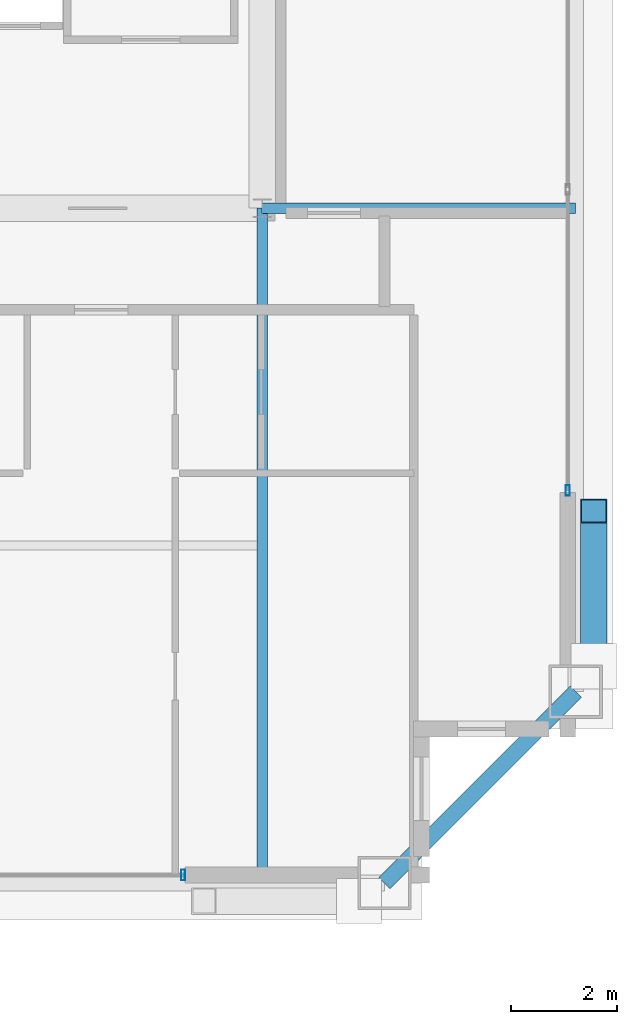
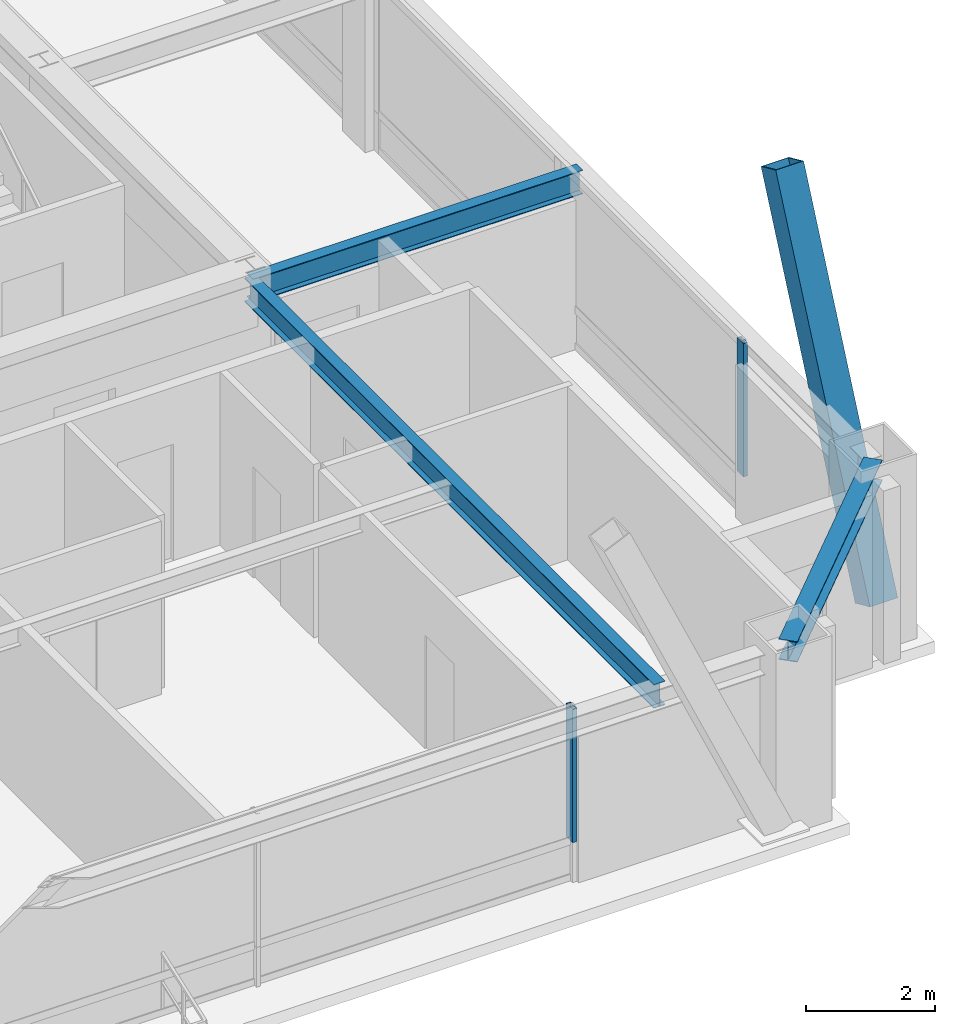
# One storey, part 11 of 33: 3 beams, 3 members, 2 elements without a shape of their own.
"""IFC4 building model written with IfcOpenShell, lengths in metres."""

from ifc_helpers import new_model, si_unit, direction, frame, origin, origin_2d, place, context, subcontext, project, spatial, hollow_rectangle, i_section, extrude, source, transform, mapped, material, layer, layer_set, material_profile, profile_set, type_object, element, aggregate, save


model = new_model("IFC4")

# Units and contexts
model_context = context("Model", 3, precision=1e-05, world=origin(), true_north=direction((0.0, 1.0)))
body_context = subcontext(model_context, "Body", "Model", "MODEL_VIEW")
ifc_project = project(units=[si_unit("LENGTHUNIT", "METRE"), si_unit("AREAUNIT", "SQUARE_METRE"), si_unit("VOLUMEUNIT", "CUBIC_METRE"), si_unit("PLANEANGLEUNIT", "RADIAN"), si_unit("MASSUNIT", "GRAM", prefix="KILO"), si_unit("THERMODYNAMICTEMPERATUREUNIT", "KELVIN"), si_unit("POWERUNIT", "WATT")], contexts=[model_context])

# Site, building, storey
site_placement = place(None, origin())
site = spatial("IfcSite", under=ifc_project, at=site_placement, CompositionType="ELEMENT")
building_placement = place(site_placement, origin())
building = spatial("IfcBuilding", under=site, at=building_placement, Name="Yuzanri Waterfront Tower", CompositionType="ELEMENT")
storey_placement = place(building_placement, frame((0.0, 0.0, 292.60009765625)))
storey = spatial("IfcBuildingStorey", under=building, at=storey_placement, Name="L78", CompositionType="ELEMENT", Elevation=292.60009765625)

# Beams
ifc_material_1 = material(Name="Steel Q355B", Category="steel")
ifc_material_profile_1 = material_profile(ifc_material_1, i_section(OverallWidth=0.300048828125, OverallDepth=0.389892578125, WebThickness=0.010009765625, FlangeThickness=0.01611328125, at=origin_2d()), Name="HM 390x300x10x16")
ifc_profile_set_1 = profile_set([ifc_material_profile_1], Name="Steel Q355B")
beam_type_1 = type_object("IfcBeamType", Name="Perimeter Spandrel Q355B HM 390x300", PredefinedType="SPANDREL", material=ifc_profile_set_1)
shared_shape_1 = source(origin(), body_context, "Body", "SweptSolid", [
    extrude(i_section(OverallWidth=0.300048828125, OverallDepth=0.389892578125, WebThickness=0.010009765625, FlangeThickness=0.01611328125, at=origin_2d()), origin(), (0.0, 0.0, 1.0), 5.09130859375),
])
beam_1_placement = place(storey_placement, frame((52.5, 6.699951171875, 3.0849609375), z_axis=(0.707106781187, 0.707106781187, 0.0), x_axis=(-0.707106781187, 0.707106781187, 0.0)))
element("IfcBeam", 1, at=beam_1_placement, inside=storey, type_object=beam_type_1, Name="L78 Perimeter Spandrel S3-E1", PredefinedType="SPANDREL", context=body_context, shape_type="MappedRepresentation", body=[
    mapped(shared_shape_1, transform((0.0, 0.0, 0.0), scale=1.0)),
])
ifc_material_2 = material(Name="Steel Q355B", Category="steel")
ifc_material_profile_2 = material_profile(ifc_material_2, i_section(OverallWidth=0.199951171875, OverallDepth=0.449951171875, WebThickness=0.009033203125, FlangeThickness=0.013916015625, at=origin_2d()), Name="HN 450x200x9x14")
ifc_profile_set_2 = profile_set([ifc_material_profile_2], Name="Steel Q355B")
beam_type_2 = type_object("IfcBeamType", Name="Secondary Floor Beam Q355B HN 450x200", PredefinedType="BEAM", material=ifc_profile_set_2)
shared_shape_2 = source(origin(), body_context, "Body", "SweptSolid", [
    extrude(i_section(OverallWidth=0.199951171875, OverallDepth=0.449951171875, WebThickness=0.009033203125, FlangeThickness=0.013916015625, at=origin_2d()), origin(), (0.0, 0.0, 1.0), 12.699951171875),
])
beam_2_placement = place(storey_placement, frame((50.199951171875, 19.39990234375, 3.054931640625), z_axis=(0.0, -1.0, 0.0), x_axis=(1.0, 0.0, 0.0)))
element("IfcBeam", 2, at=beam_2_placement, inside=storey, type_object=beam_type_2, Name="L78 South-East Core Line Beam", PredefinedType="BEAM", context=body_context, shape_type="MappedRepresentation", body=[
    mapped(shared_shape_2, transform((0.0, 0.0, 0.0), scale=1.0)),
])
shared_shape_3 = source(origin(), body_context, "Body", "SweptSolid", [
    extrude(i_section(OverallWidth=0.199951171875, OverallDepth=0.449951171875, WebThickness=0.009033203125, FlangeThickness=0.013916015625, at=origin_2d()), origin(), (0.0, 0.0, 1.0), 5.900146484375),
])
beam_3_placement = place(storey_placement, frame((50.199951171875, 19.39990234375, 3.054931640625), z_axis=(1.0, 0.0, 0.0), x_axis=(0.0, 1.0, 0.0)))
element("IfcBeam", 3, at=beam_3_placement, inside=storey, type_object=beam_type_2, Name="L78 East-South Core Line Beam", PredefinedType="BEAM", context=body_context, shape_type="MappedRepresentation", body=[
    mapped(shared_shape_3, transform((0.0, 0.0, 0.0), scale=1.0)),
])

# Member
ifc_material_3 = material(Name="Steel Q390GJC", Category="steel")
ifc_material_profile_3 = material_profile(ifc_material_3, hollow_rectangle(XDim=0.5, YDim=0.5, WallThickness=0.02197265625, at=origin_2d()), Name="RHS 500x500x22")
ifc_profile_set_3 = profile_set([ifc_material_profile_3], Name="Steel Q390GJC")
member_type_1 = type_object("IfcMemberType", Name="Mega Brace Upper Q390GJC RHS 500x500x22", PredefinedType="BRACE", material=ifc_profile_set_3)
shared_shape_4 = source(origin(), body_context, "Body", "SweptSolid", [
    extrude(hollow_rectangle(XDim=0.5, YDim=0.5, WallThickness=0.02197265625, at=origin_2d()), origin(), (0.0, 0.0, 1.0), 7.125732421875),
])
member_1_placement = place(storey_placement, frame((56.43994140625, 10.780029296875, 0.179931640625), z_axis=(0.0, 0.409771952938, 0.912187999584), x_axis=(-1.0, 0.0, 0.0)))
element("IfcMember", 4, at=member_1_placement, inside=storey, type_object=member_type_1, Name="L78-L79 Perimeter Mega-Brace E-L", PredefinedType="BRACE", context=body_context, shape_type="MappedRepresentation", body=[
    mapped(shared_shape_4, transform((0.0, 0.0, 0.0), scale=1.0)),
])

# Curtain wall, member
ifc_material_4 = material(Name="Anodized Architectural Bronze", Category="metal")
ifc_layer = layer(ifc_material_4, 0.159912109375)
ifc_layer_set = layer_set([ifc_layer], Name="Anodized Architectural Bronze")
curtain_wall_type = type_object("IfcCurtainWallType", Name="Anodized Bronze High-Rise Penthouse High-Wind Unitized Curtain Wall 6900", PredefinedType="NOTDEFINED", material=ifc_layer_set)
curtain_wall_1_placement = place(storey_placement, origin())
curtain_wall_1 = element("IfcCurtainWall", 5, at=curtain_wall_1_placement, inside=storey, type_object=curtain_wall_type, Name="L78 Curtain Wall CW-L78-SR", PredefinedType="NOTDEFINED")
ifc_material_5 = material(Name="Anodized Architectural Bronze", Category="metal")
ifc_material_profile_4 = material_profile(ifc_material_5, hollow_rectangle(XDim=0.074951171875, YDim=0.199951171875, WallThickness=0.00390625, at=origin_2d()), Name="CWM 75x200")
ifc_profile_set_4 = profile_set([ifc_material_profile_4], Name="Anodized Architectural Bronze")
member_type_2 = type_object("IfcMemberType", Name="Anodized Bronze Primary Curtain-Wall Mullion 75x200", PredefinedType="MULLION", material=ifc_profile_set_4)
shared_shape_5 = source(origin(), body_context, "Body", "SweptSolid", [
    extrude(hollow_rectangle(XDim=0.074951171875, YDim=0.199951171875, WallThickness=0.00390625, at=origin_2d()), origin(), (0.0, 0.0, 1.0), 2.52392578125),
])
member_2_placement = place(storey_placement, frame((48.7099609375, 6.85009765625, 0.755859375), z_axis=(0.0, 0.0, 1.0), x_axis=(1.0, 0.0, 0.0)))
member_2 = element("IfcMember", 6, at=member_2_placement, type_object=member_type_2, Name="CW-L78-SR Upper Mullion 02", PredefinedType="MULLION", context=body_context, shape_type="MappedRepresentation", body=[
    mapped(shared_shape_5, transform((0.0, 0.0, 0.0), scale=1.0)),
])
aggregate(curtain_wall_1, [member_2])

curtain_wall_2_placement = place(storey_placement, origin())
curtain_wall_2 = element("IfcCurtainWall", 7, at=curtain_wall_2_placement, inside=storey, type_object=curtain_wall_type, Name="L78 Curtain Wall CW-L78-EL", PredefinedType="NOTDEFINED")
member_3_placement = place(storey_placement, frame((55.949951171875, 14.090087890625, 0.755859375), z_axis=(0.0, 0.0, 1.0), x_axis=(1.0, 0.0, 0.0)))
member_3 = element("IfcMember", 8, at=member_3_placement, type_object=member_type_2, Name="CW-L78-EL Upper Mullion 00", PredefinedType="MULLION", context=body_context, shape_type="MappedRepresentation", body=[
    mapped(shared_shape_5, transform((0.0, 0.0, 0.0), scale=1.0)),
])
aggregate(curtain_wall_2, [member_3])

save(model, "model.ifc")
